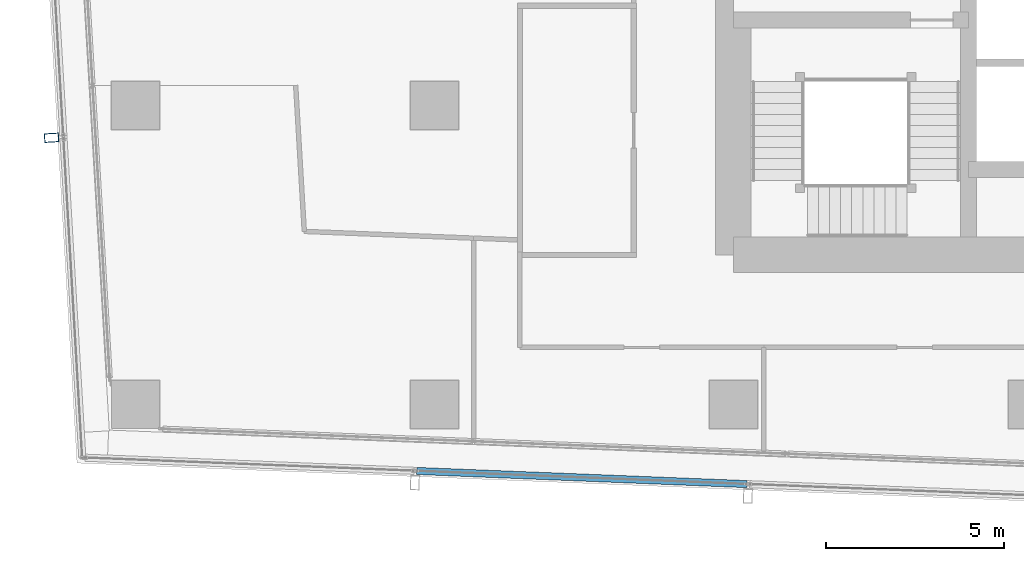
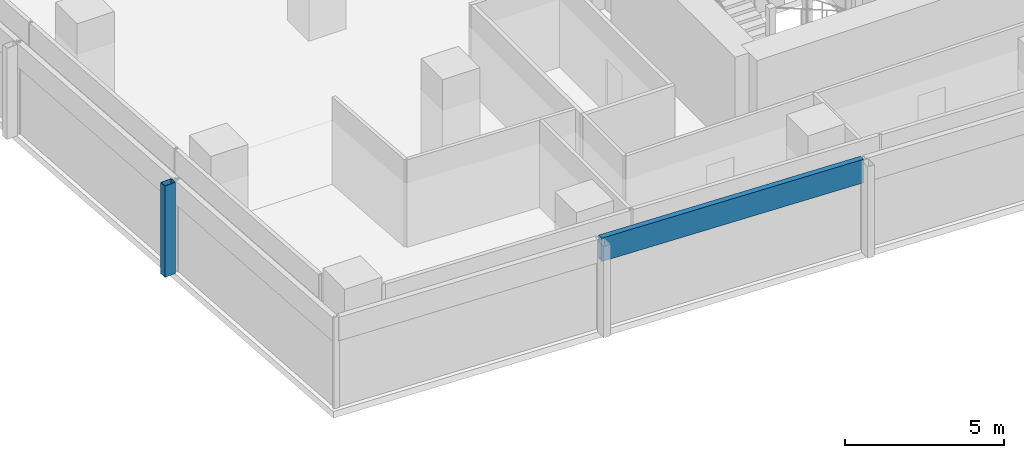
# One storey, part 4 of 40: 2 members, 2 elements without a shape of their own.
"""IFC4 building model written with IfcOpenShell, lengths in metres."""

from ifc_helpers import new_model, si_unit, direction, frame, origin, origin_2d, place, context, subcontext, project, spatial, hollow_rectangle, extrude, material, material_profile, profile_set, type_object, element, aggregate, save


model = new_model("IFC4")

# Units and contexts
model_context = context("Model", 3, precision=1e-05, world=origin(), true_north=direction((0.0, 1.0)))
body_context = subcontext(model_context, "Body", "Model", "MODEL_VIEW")
ifc_project = project(units=[si_unit("LENGTHUNIT", "METRE"), si_unit("AREAUNIT", "SQUARE_METRE"), si_unit("VOLUMEUNIT", "CUBIC_METRE"), si_unit("PLANEANGLEUNIT", "RADIAN"), si_unit("MASSUNIT", "GRAM", prefix="KILO")], contexts=[model_context])

# Site, building, storey
site_placement = place(None, origin())
site = spatial("IfcSite", under=ifc_project, at=site_placement, CompositionType="ELEMENT")
building_placement = place(site_placement, origin())
building = spatial("IfcBuilding", under=site, at=building_placement, Name="Rekha Terrace Tower", CompositionType="ELEMENT")
storey_placement = place(building_placement, frame((0.0, 0.0, 210.199951171875)))
storey = spatial("IfcBuildingStorey", under=building, at=storey_placement, Name="L53", CompositionType="ELEMENT", Elevation=210.199951171875)

# Curtain wall, member
ifc_material_1 = material(Name="Aluminium framing", Category="aluminium")
curtain_wall_type = type_object("IfcCurtainWallType", Name="CW2 double skin outer glazing", PredefinedType="USERDEFINED", material=ifc_material_1)
curtain_wall_1_placement = place(storey_placement, origin())
curtain_wall_1 = element("IfcCurtainWall", 1, at=curtain_wall_1_placement, inside=storey, type_object=curtain_wall_type, Name="CW2 double skin outer glazing", ObjectType="DOUBLE SKIN OUTER GLAZING", PredefinedType="USERDEFINED")
ifc_material_2 = material(Name="Steel S355 with fluorocarbon finish", Category="steel")
ifc_material_profile_1 = material_profile(ifc_material_2, hollow_rectangle(XDim=0.25, YDim=0.39990234375, WallThickness=0.012451171875, at=origin_2d()), Name="RHS400x250x12.5")
ifc_profile_set_1 = profile_set([ifc_material_profile_1], Name="Steel S355 with fluorocarbon finish")
member_type_1 = type_object("IfcMemberType", Name="BL1 facade blade RHS 400 x 250", PredefinedType="USERDEFINED", material=ifc_profile_set_1)
member_1_placement = place(storey_placement, frame((6.03662109375, 24.292236328125, 0.0), z_axis=(0.0, 0.0, 1.0), x_axis=(0.058764522885, -0.998271872212, 0.0)))
member_1 = element("IfcMember", 2, at=member_1_placement, type_object=member_type_1, Name="Facade blade", ObjectType="FACADE BLADE", PredefinedType="USERDEFINED", context=body_context, shape_type="SweptSolid", body=[
    extrude(hollow_rectangle(XDim=0.25, YDim=0.39990234375, WallThickness=0.012451171875, at=origin_2d()), origin(), (0.0, 0.0, 1.0), 3.5),
])
aggregate(curtain_wall_1, [member_1])

curtain_wall_2_placement = place(storey_placement, origin())
curtain_wall_2 = element("IfcCurtainWall", 3, at=curtain_wall_2_placement, inside=storey, type_object=curtain_wall_type, Name="CW2 double skin outer glazing", ObjectType="DOUBLE SKIN OUTER GLAZING", PredefinedType="USERDEFINED")
ifc_material_3 = material(Name="Insulated aluminium spandrel box", Category="aluminium")
ifc_material_profile_2 = material_profile(ifc_material_3, hollow_rectangle(XDim=0.199951171875, YDim=0.89990234375, WallThickness=0.0029296875, at=origin_2d()), Name="AL SPANDREL BOX 200x900")
ifc_profile_set_2 = profile_set([ifc_material_profile_2], Name="Insulated aluminium spandrel box")
member_type_2 = type_object("IfcMemberType", Name="CW2 spandrel transom 200 x 900", PredefinedType="USERDEFINED", material=ifc_profile_set_2)
member_2_placement = place(storey_placement, frame((16.2998046875, 14.928955078125, 3.050048828125), z_axis=(0.999205404308, -0.039856743486, 0.0), x_axis=(0.039856743486, 0.999205404308, 0.0)))
member_2 = element("IfcMember", 4, at=member_2_placement, type_object=member_type_2, Name="CW2 spandrel transom 2", ObjectType="TRANSOM", PredefinedType="USERDEFINED", context=body_context, shape_type="SweptSolid", body=[
    extrude(hollow_rectangle(XDim=0.199951171875, YDim=0.89990234375, WallThickness=0.0029296875, at=origin_2d()), origin(), (0.0, 0.0, 1.0), 9.2861328125),
])
aggregate(curtain_wall_2, [member_2])

save(model, "model.ifc")
